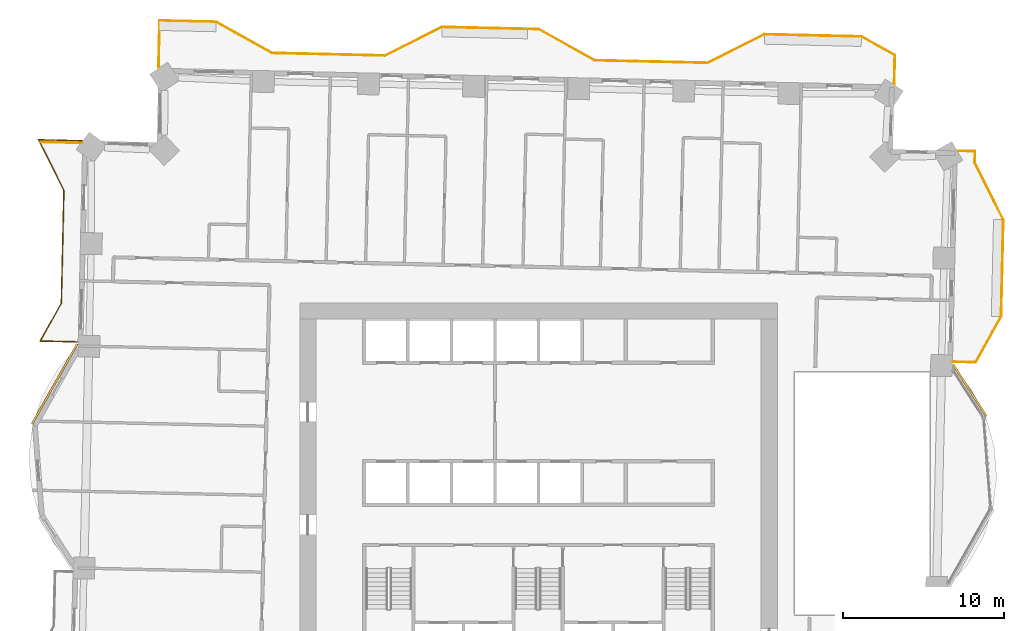
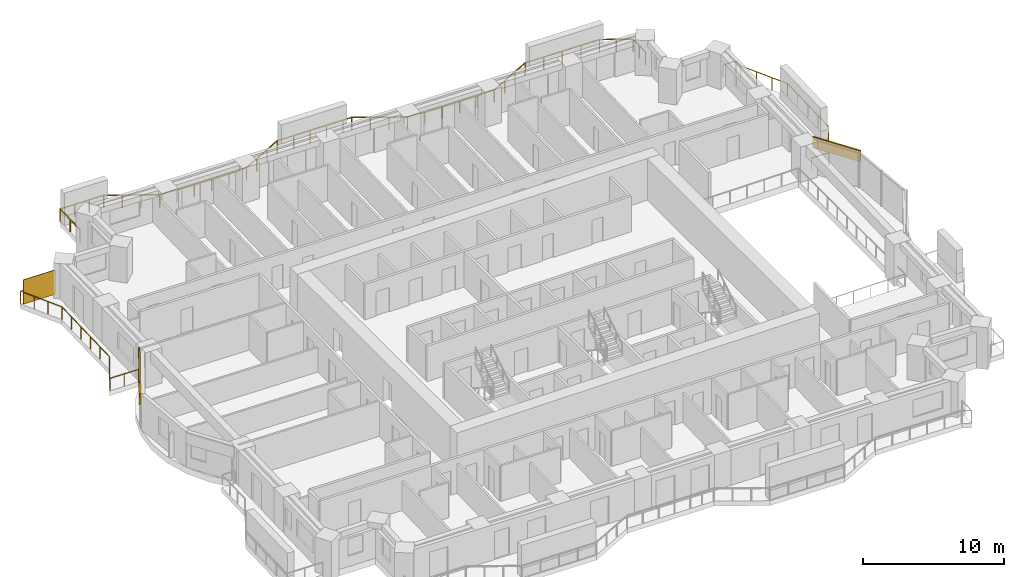
# One storey, part 16 of 16: 3 railings, 2 coverings, 1 shading device.
"""IFC4 building model written with IfcOpenShell, lengths in metres."""

import ifcopenshell
import ifcopenshell.guid

model = None  # the IFC model being written
_history = None  # IfcOwnerHistory: only IFC2X3 demands one
_inside = {}  # id of a spatial element -> (the spatial element, [elements in it])
_under = {}  # id of a project, library or spatial element -> (it, [spatial elements below it])
_declared = {}  # id of a project -> (the project, [libraries it declares])
_typed = {}  # id of a type object -> (the type object, [elements of that type])
_made_of = {}  # id of a material, layer set ... -> (it, [elements and type objects made of it])


def new_model(schema):
    """Start an empty IFC model of exactly this schema.

    Asked for "IFC4X3", IfcOpenShell would pick the latest addendum, in which some entities
    have other attributes; the version numbers below select the first issue.
    IFC2X3 requires an IfcOwnerHistory on every rooted entity: one is made here for all.
    """
    global model, _history
    if schema == "IFC4X3":
        model = ifcopenshell.file(schema_version=(4, 3, 0, 0))
    else:
        model = ifcopenshell.file(schema=schema)
    _inside.clear()
    _under.clear()
    _declared.clear()
    _typed.clear()
    _made_of.clear()
    _history = None
    if model.schema == "IFC2X3":
        org = make("IfcOrganization", Name="unknown")
        user = make(
            "IfcPersonAndOrganization",
            ThePerson=make("IfcPerson", FamilyName="unknown"),
            TheOrganization=org,
        )
        app = make(
            "IfcApplication",
            ApplicationDeveloper=org,
            Version="unknown",
            ApplicationFullName="unknown",
            ApplicationIdentifier="unknown",
        )
        _history = make(
            "IfcOwnerHistory",
            OwningUser=user,
            OwningApplication=app,
            ChangeAction="ADDED",
            CreationDate=0,
        )
    return model


def make(cls, **values):
    """One entity of the class cls with the attributes given. An attribute that is None is left unset."""
    return model.create_entity(
        cls, **{name: value for name, value in values.items() if value is not None}
    )


def rooted(cls, **values):
    """An entity with a GlobalId (a new one), such as an element, a storey or a relation."""
    return make(cls, GlobalId=ifcopenshell.guid.new(), OwnerHistory=_history, **values)


def si_unit(unit_type, name, prefix=None):
    """IfcSIUnit, for example si_unit("LENGTHUNIT", "METRE", prefix="MILLI")."""
    return make("IfcSIUnit", UnitType=unit_type, Prefix=prefix, Name=name)


def assignment(units):
    """IfcUnitAssignment: the units of a project."""
    return None if units is None else make("IfcUnitAssignment", Units=units)


def point(xyz):
    """IfcCartesianPoint."""
    return None if xyz is None else make("IfcCartesianPoint", Coordinates=xyz)


def direction(xyz):
    """IfcDirection."""
    return None if xyz is None else make("IfcDirection", DirectionRatios=xyz)


def frame(location, z_axis=None, x_axis=None):
    """IfcAxis2Placement3D, a coordinate frame: its origin and axes. An axis left out is left unset."""
    return make(
        "IfcAxis2Placement3D",
        Location=point(location),
        Axis=direction(z_axis),
        RefDirection=direction(x_axis),
    )


def frame_2d(location, x_axis=None):
    """IfcAxis2Placement2D, a coordinate frame in the plane: its origin and x axis."""
    return make(
        "IfcAxis2Placement2D", Location=point(location), RefDirection=direction(x_axis)
    )


def origin():
    """The frame at (0, 0, 0) with its axes left unset."""
    return frame((0.0, 0.0, 0.0))


def origin_2d():
    """The frame at (0, 0) in the plane with its x axis left unset."""
    return frame_2d((0.0, 0.0))


def place(relative_to, where):
    """IfcLocalPlacement: puts the frame where relative to a parent placement (None: the world)."""
    return make(
        "IfcLocalPlacement", PlacementRelTo=relative_to, RelativePlacement=where
    )


def context(
    kind, dimensions, precision=None, world=None, true_north=None, identifier=None
):
    """IfcGeometricRepresentationContext, for example the 3D "Model" context."""
    return make(
        "IfcGeometricRepresentationContext",
        ContextIdentifier=identifier,
        ContextType=kind,
        CoordinateSpaceDimension=dimensions,
        Precision=precision,
        WorldCoordinateSystem=world,
        TrueNorth=true_north,
    )


def subcontext(parent, identifier, kind, view, scale=None):
    """IfcGeometricRepresentationSubContext, for example "Body" below "Model"."""
    return make(
        "IfcGeometricRepresentationSubContext",
        ContextIdentifier=identifier,
        ContextType=kind,
        ParentContext=parent,
        TargetScale=scale,
        TargetView=view,
    )


def project(units=None, contexts=None):
    """IfcProject with its units and contexts."""
    return rooted(
        "IfcProject",
        Name="project",
        RepresentationContexts=contexts,
        UnitsInContext=assignment(units),
    )


def spatial(cls, under=None, at=None, **own):
    """A site, building, storey or space (cls), placed at a placement, below another one or the project."""
    s = rooted(cls, ObjectPlacement=at, **own)
    if under is not None:
        _under.setdefault(under.id(), (under, []))[1].append(s)
    return s


def profile(cls, at=None, kind="AREA", **sizes):
    """A parametric profile (cls). Its sizes go by their IFC names, for example OverallWidth=200.0."""
    return make(cls, ProfileType=kind, Position=at, **sizes)


def rectangle(**sizes):
    """IfcRectangleProfileDef."""
    return profile("IfcRectangleProfileDef", **sizes)


def extrude(swept, where, along, depth):
    """IfcExtrudedAreaSolid: the profile swept, set in the frame where, extruded along a direction by depth."""
    return make(
        "IfcExtrudedAreaSolid",
        SweptArea=swept,
        Position=where,
        ExtrudedDirection=direction(along),
        Depth=depth,
    )


def shape(context_of_items, identifier, shape_type, items):
    """IfcShapeRepresentation: the items that make up one representation, for example the "Body"."""
    return make(
        "IfcShapeRepresentation",
        ContextOfItems=context_of_items,
        RepresentationIdentifier=identifier,
        RepresentationType=shape_type,
        Items=items,
    )


def material(Name=None, Category=None):
    """IfcMaterial."""
    return make("IfcMaterial", Name=Name, Category=Category)


def layer(
    of_material, thickness, ventilated=None, Name=None, Category=None, Priority=None
):
    """IfcMaterialLayer: one layer of a wall or slab, of a material (None: an air gap)."""
    return make(
        "IfcMaterialLayer",
        Material=of_material,
        LayerThickness=thickness,
        IsVentilated=ventilated,
        Name=Name,
        Category=Category,
        Priority=Priority,
    )


def layer_set(layers, Name=None):
    """IfcMaterialLayerSet."""
    return make("IfcMaterialLayerSet", MaterialLayers=layers, LayerSetName=Name)


def made_of(thing, what):
    """Note that an element or type object is made of a material, layer set ...; save() writes the relation."""
    if what is not None:
        _made_of.setdefault(what.id(), (what, []))[1].append(thing)
    return thing


def type_object(cls, material=None, **own):
    """A type object (cls), such as IfcWallType, which elements share."""
    return made_of(rooted(cls, **own), material)


def element(
    cls,
    number,
    at=None,
    inside=None,
    cuts=None,
    type_object=None,
    material=None,
    context=None,
    identifier="Body",
    shape_type=None,
    held_by="IfcProductDefinitionShape",
    body=None,
    shapes=None,
    **own,
):
    """One element of the class cls, such as IfcWall. Its Tag is "e" and its number.

    at: its placement. inside: the storey or other place that contains it. cuts: it is an
    opening in that element (IfcRelVoidsElement). A single representation is given by context,
    identifier, shape_type and body (its items); several are given by shapes. held_by: the class
    of the entity that holds the representations. save() writes the other relations.
    """
    e = rooted(cls, Tag="e%d" % number, ObjectPlacement=at, **own)
    if body is not None:
        shapes = [shape(context, identifier, shape_type, body)]
    if shapes is not None:
        e.Representation = make(held_by, Representations=shapes)
    if inside is not None:
        _inside.setdefault(inside.id(), (inside, []))[1].append(e)
    if cuts is not None:
        rooted(
            "IfcRelVoidsElement", RelatingBuildingElement=cuts, RelatedOpeningElement=e
        )
    if type_object is not None:
        _typed.setdefault(type_object.id(), (type_object, []))[1].append(e)
    return made_of(e, material)


def aggregate(whole, parts):
    """IfcRelAggregates: a whole, such as a stair, and the parts it consists of."""
    return rooted("IfcRelAggregates", RelatingObject=whole, RelatedObjects=parts)


def save(model, path):
    """Write the relations noted so far, then the file.

    IfcRelAggregates (storeys below a building ...), IfcRelContainedInSpatialStructure (elements
    in a storey), IfcRelDefinesByType, IfcRelAssociatesMaterial and IfcRelDeclares: one each for
    every whole, place, type object, material and project.
    """
    for whole, parts in _under.values():
        aggregate(whole, parts)
    for where, things in _inside.values():
        rooted(
            "IfcRelContainedInSpatialStructure",
            RelatedElements=things,
            RelatingStructure=where,
        )
    for kind, things in _typed.values():
        rooted("IfcRelDefinesByType", RelatedObjects=things, RelatingType=kind)
    for what, things in _made_of.values():
        rooted("IfcRelAssociatesMaterial", RelatedObjects=things, RelatingMaterial=what)
    for by, libraries in _declared.values():
        rooted("IfcRelDeclares", RelatingContext=by, RelatedDefinitions=libraries)
    model.write(path)


model = new_model("IFC4")

# Units and contexts
model_context = context("Model", 3, precision=1e-05, world=origin(), true_north=direction((0.0, 1.0)))
body_context = subcontext(model_context, "Body", "Model", "MODEL_VIEW")
ifc_project = project(units=[si_unit("LENGTHUNIT", "METRE"), si_unit("AREAUNIT", "SQUARE_METRE"), si_unit("VOLUMEUNIT", "CUBIC_METRE"), si_unit("PLANEANGLEUNIT", "RADIAN"), si_unit("MASSUNIT", "GRAM", prefix="KILO")], contexts=[model_context])

# Site, building, storey
site_placement = place(None, origin())
site = spatial("IfcSite", under=ifc_project, at=site_placement, CompositionType="ELEMENT")
building_placement = place(site_placement, origin())
building = spatial("IfcBuilding", under=site, at=building_placement, Name="Mangrove Gate Tower", CompositionType="ELEMENT")
storey_placement = place(building_placement, frame((0.0, 0.0, 112.699951171875)))
storey = spatial("IfcBuildingStorey", under=building, at=storey_placement, Name="L28", CompositionType="ELEMENT", Elevation=112.699951171875)

# Railings
ifc_material_1 = material(Name="Stainless steel grade 316 with laminated glass infill", Category="steel")
railing_type = type_object("IfcRailingType", Name="Balcony guard 1100", PredefinedType="GUARDRAIL", material=ifc_material_1)
railing_1_placement = place(storey_placement, frame((25.698974609375, 8.157958984375, 0.0)))
element("IfcRailing", 1, at=railing_1_placement, inside=storey, type_object=railing_type, Name="GUARD L28 E2", PredefinedType="GUARDRAIL", context=body_context, shape_type="SweptSolid", body=[
    extrude(rectangle(XDim=0.048095703125, YDim=0.048095703125, at=origin_2d()), frame((0.0, 0.0, 1.076171875), z_axis=(0.999735451499, -0.023000587311, 0.0), x_axis=(0.023000587311, 0.999735451499, 0.0)), (0.0, 0.0, 1.0), 1.390625),
    extrude(rectangle(XDim=0.048095703125, YDim=0.048095703125, at=origin_2d()), frame((1.39013671875, -0.031982421875, 1.076171875), z_axis=(0.487089238085, 0.873352205093, 0.0), x_axis=(-0.873352205093, 0.487089238085, 0.0)), (0.0, 0.0, 1.0), 3.251953125),
    extrude(rectangle(XDim=0.048095703125, YDim=0.048095703125, at=origin_2d()), frame((2.97412109375, 2.80810546875, 1.076171875), z_axis=(0.022665943652, 0.999743094499, 0.0), x_axis=(-0.999743094499, 0.022665943652, 0.0)), (0.0, 0.0, 1.0), 5.99951171875),
    extrude(rectangle(XDim=0.048095703125, YDim=0.048095703125, at=origin_2d()), frame((3.110107421875, 8.80615234375, 1.076171875), z_axis=(-0.447139584658, 0.894464192593, 0.0), x_axis=(-0.894464192593, -0.447139584658, 0.0)), (0.0, 0.0, 1.0), 3.95849609375),
    extrude(rectangle(XDim=0.048095703125, YDim=0.048095703125, at=origin_2d()), frame((1.340087890625, 12.346923828125, 1.076171875), z_axis=(0.022658058842, 0.99974327323, 0.0), x_axis=(-0.99974327323, 0.022658058842, 0.0)), (0.0, 0.0, 1.0), 0.700439453125),
    extrude(rectangle(XDim=0.048095703125, YDim=0.048095703125, at=origin_2d()), frame((1.35595703125, 13.047119140625, 1.076171875), z_axis=(-0.999745272039, 0.02256969285, 0.0), x_axis=(-0.02256969285, -0.999745272039, 0.0)), (0.0, 0.0, 1.0), 1.06005859375),
    extrude(rectangle(XDim=0.0419921875, YDim=0.0419921875, at=origin_2d()), origin(), (0.0, 0.0, 1.0), 1.052001953125),
    extrude(rectangle(XDim=0.0419921875, YDim=0.0419921875, at=origin_2d()), frame((1.39013671875, -0.031982421875, 0.0)), (0.0, 0.0, 1.0), 1.052001953125),
    extrude(rectangle(XDim=0.0419921875, YDim=0.0419921875, at=origin_2d()), frame((1.918212890625, 0.914794921875, 0.0)), (0.0, 0.0, 1.0), 1.052001953125),
    extrude(rectangle(XDim=0.0419921875, YDim=0.0419921875, at=origin_2d()), frame((2.446044921875, 1.861328125, 0.0)), (0.0, 0.0, 1.0), 1.052001953125),
    extrude(rectangle(XDim=0.0419921875, YDim=0.0419921875, at=origin_2d()), frame((2.97412109375, 2.80810546875, 0.0)), (0.0, 0.0, 1.0), 1.052001953125),
    extrude(rectangle(XDim=0.0419921875, YDim=0.0419921875, at=origin_2d()), frame((3.008056640625, 4.3076171875, 0.0)), (0.0, 0.0, 1.0), 1.052001953125),
    extrude(rectangle(XDim=0.0419921875, YDim=0.0419921875, at=origin_2d()), frame((3.0419921875, 5.80712890625, 0.0)), (0.0, 0.0, 1.0), 1.052001953125),
    extrude(rectangle(XDim=0.0419921875, YDim=0.0419921875, at=origin_2d()), frame((3.076171875, 7.306640625, 0.0)), (0.0, 0.0, 1.0), 1.052001953125),
    extrude(rectangle(XDim=0.0419921875, YDim=0.0419921875, at=origin_2d()), frame((3.110107421875, 8.80615234375, 0.0)), (0.0, 0.0, 1.0), 1.052001953125),
    extrude(rectangle(XDim=0.0419921875, YDim=0.0419921875, at=origin_2d()), frame((2.52001953125, 9.986328125, 0.0)), (0.0, 0.0, 1.0), 1.052001953125),
    extrude(rectangle(XDim=0.0419921875, YDim=0.0419921875, at=origin_2d()), frame((1.93017578125, 11.166748046875, 0.0)), (0.0, 0.0, 1.0), 1.052001953125),
    extrude(rectangle(XDim=0.0419921875, YDim=0.0419921875, at=origin_2d()), frame((1.340087890625, 12.346923828125, 0.0)), (0.0, 0.0, 1.0), 1.052001953125),
    extrude(rectangle(XDim=0.0419921875, YDim=0.0419921875, at=origin_2d()), frame((1.35595703125, 13.047119140625, 0.0)), (0.0, 0.0, 1.0), 1.052001953125),
    extrude(rectangle(XDim=0.0419921875, YDim=0.0419921875, at=origin_2d()), frame((0.296142578125, 13.071044921875, 0.0)), (0.0, 0.0, 1.0), 1.052001953125),
])
railing_2_placement = place(storey_placement, frame((22.048095703125, 25.360107421875, 0.0)))
element("IfcRailing", 2, at=railing_2_placement, inside=storey, type_object=railing_type, Name="GUARD L28 N1", PredefinedType="GUARDRAIL", context=body_context, shape_type="SweptSolid", body=[
    extrude(rectangle(XDim=0.048095703125, YDim=0.048095703125, at=origin_2d()), frame((0.0, 0.0, 1.076171875), z_axis=(0.022820142738, 0.999739586635, 0.0), x_axis=(-0.999739586635, 0.022820142738, 0.0)), (0.0, 0.0, 1.0), 1.79736328125),
    extrude(rectangle(XDim=0.048095703125, YDim=0.048095703125, at=origin_2d()), frame((0.041015625, 1.796875, 1.076171875), z_axis=(-0.873290042046, 0.487200679868, 0.0), x_axis=(-0.487200679868, -0.873290042046, 0.0)), (0.0, 0.0, 1.0), 2.380859375),
    extrude(rectangle(XDim=0.048095703125, YDim=0.048095703125, at=origin_2d()), frame((-2.0380859375, 2.956787109375, 1.076171875), z_axis=(-0.999743094499, 0.022665943652, 0.0), x_axis=(-0.022665943652, -0.999743094499, 0.0)), (0.0, 0.0, 1.0), 5.99951171875),
    extrude(rectangle(XDim=0.048095703125, YDim=0.048095703125, at=origin_2d()), frame((-8.0361328125, 3.0927734375, 1.076171875), z_axis=(-0.894501186021, -0.447065574839, 0.0), x_axis=(0.447065574839, -0.894501186021, 0.0)), (0.0, 0.0, 1.0), 3.958740234375),
    extrude(rectangle(XDim=0.048095703125, YDim=0.048095703125, at=origin_2d()), frame((-11.5771484375, 1.322998046875, 1.076171875), z_axis=(-0.999745352708, 0.022566119286, 0.0), x_axis=(-0.022566119286, -0.999745352708, 0.0)), (0.0, 0.0, 1.0), 6.999755859375),
    extrude(rectangle(XDim=0.048095703125, YDim=0.048095703125, at=origin_2d()), frame((-18.5751953125, 1.48095703125, 1.076171875), z_axis=(-0.873242256246, 0.487286324359, 0.0), x_axis=(-0.487286324359, -0.873242256246, 0.0)), (0.0, 0.0, 1.0), 3.95849609375),
    extrude(rectangle(XDim=0.048095703125, YDim=0.048095703125, at=origin_2d()), frame((-22.031982421875, 3.409912109375, 1.076171875), z_axis=(-0.99974327323, 0.022658058842, 0.0), x_axis=(-0.022658058842, -0.99974327323, 0.0)), (0.0, 0.0, 1.0), 0.700439453125),
    extrude(rectangle(XDim=0.048095703125, YDim=0.048095703125, at=origin_2d()), frame((-22.732177734375, 3.42578125, 1.076171875), z_axis=(-0.99974316553, 0.022662810424, 0.0), x_axis=(-0.022662810424, -0.99974316553, 0.0)), (0.0, 0.0, 1.0), 5.30029296875),
    extrude(rectangle(XDim=0.048095703125, YDim=0.048095703125, at=origin_2d()), frame((-28.031005859375, 3.5458984375, 1.076171875), z_axis=(-0.894476522376, -0.447114919141, 0.0), x_axis=(0.447114919141, -0.894476522376, 0.0)), (0.0, 0.0, 1.0), 3.958740234375),
    extrude(rectangle(XDim=0.048095703125, YDim=0.048095703125, at=origin_2d()), frame((-31.572021484375, 1.77587890625, 1.076171875), z_axis=(-0.999742195543, 0.022705559911, 0.0), x_axis=(-0.022705559911, -0.999742195543, 0.0)), (0.0, 0.0, 1.0), 6.999755859375),
    extrude(rectangle(XDim=0.048095703125, YDim=0.048095703125, at=origin_2d()), frame((-38.570068359375, 1.934814453125, 1.076171875), z_axis=(-0.873230657876, 0.487307108654, 0.0), x_axis=(-0.487307108654, -0.873230657876, 0.0)), (0.0, 0.0, 1.0), 3.958984375),
    extrude(rectangle(XDim=0.048095703125, YDim=0.048095703125, at=origin_2d()), frame((-42.027099609375, 3.864013671875, 1.076171875), z_axis=(-0.999740394655, 0.022784716271, 0.0), x_axis=(-0.022784716271, -0.999740394655, 0.0)), (0.0, 0.0, 1.0), 3.50390625),
    extrude(rectangle(XDim=0.048095703125, YDim=0.048095703125, at=origin_2d()), frame((-45.530029296875, 3.94384765625, 1.076171875), z_axis=(-0.02273093202, -0.999741618984, 0.0), x_axis=(0.999741618984, -0.02273093202, 0.0)), (0.0, 0.0, 1.0), 2.91064453125),
    extrude(rectangle(XDim=0.0419921875, YDim=0.0419921875, at=origin_2d()), origin(), (0.0, 0.0, 1.0), 1.052001953125),
    extrude(rectangle(XDim=0.0419921875, YDim=0.0419921875, at=origin_2d()), frame((0.0205078125, 0.8984375, 0.0)), (0.0, 0.0, 1.0), 1.052001953125),
    extrude(rectangle(XDim=0.0419921875, YDim=0.0419921875, at=origin_2d()), frame((0.041015625, 1.796875, 0.0)), (0.0, 0.0, 1.0), 1.052001953125),
    extrude(rectangle(XDim=0.0419921875, YDim=0.0419921875, at=origin_2d()), frame((-0.99853515625, 2.376953125, 0.0)), (0.0, 0.0, 1.0), 1.052001953125),
    extrude(rectangle(XDim=0.0419921875, YDim=0.0419921875, at=origin_2d()), frame((-2.0380859375, 2.956787109375, 0.0)), (0.0, 0.0, 1.0), 1.052001953125),
    extrude(rectangle(XDim=0.0419921875, YDim=0.0419921875, at=origin_2d()), frame((-3.53759765625, 2.99072265625, 0.0)), (0.0, 0.0, 1.0), 1.052001953125),
    extrude(rectangle(XDim=0.0419921875, YDim=0.0419921875, at=origin_2d()), frame((-5.037109375, 3.02490234375, 0.0)), (0.0, 0.0, 1.0), 1.052001953125),
    extrude(rectangle(XDim=0.0419921875, YDim=0.0419921875, at=origin_2d()), frame((-6.53662109375, 3.058837890625, 0.0)), (0.0, 0.0, 1.0), 1.052001953125),
    extrude(rectangle(XDim=0.0419921875, YDim=0.0419921875, at=origin_2d()), frame((-8.0361328125, 3.0927734375, 0.0)), (0.0, 0.0, 1.0), 1.052001953125),
    extrude(rectangle(XDim=0.0419921875, YDim=0.0419921875, at=origin_2d()), frame((-9.216552734375, 2.5029296875, 0.0)), (0.0, 0.0, 1.0), 1.052001953125),
    extrude(rectangle(XDim=0.0419921875, YDim=0.0419921875, at=origin_2d()), frame((-10.396728515625, 1.912841796875, 0.0)), (0.0, 0.0, 1.0), 1.052001953125),
    extrude(rectangle(XDim=0.0419921875, YDim=0.0419921875, at=origin_2d()), frame((-11.5771484375, 1.322998046875, 0.0)), (0.0, 0.0, 1.0), 1.052001953125),
    extrude(rectangle(XDim=0.0419921875, YDim=0.0419921875, at=origin_2d()), frame((-12.976806640625, 1.3544921875, 0.0)), (0.0, 0.0, 1.0), 1.052001953125),
    extrude(rectangle(XDim=0.0419921875, YDim=0.0419921875, at=origin_2d()), frame((-14.37646484375, 1.38623046875, 0.0)), (0.0, 0.0, 1.0), 1.052001953125),
    extrude(rectangle(XDim=0.0419921875, YDim=0.0419921875, at=origin_2d()), frame((-15.77587890625, 1.417724609375, 0.0)), (0.0, 0.0, 1.0), 1.052001953125),
    extrude(rectangle(XDim=0.0419921875, YDim=0.0419921875, at=origin_2d()), frame((-17.175537109375, 1.449462890625, 0.0)), (0.0, 0.0, 1.0), 1.052001953125),
    extrude(rectangle(XDim=0.0419921875, YDim=0.0419921875, at=origin_2d()), frame((-18.5751953125, 1.48095703125, 0.0)), (0.0, 0.0, 1.0), 1.052001953125),
    extrude(rectangle(XDim=0.0419921875, YDim=0.0419921875, at=origin_2d()), frame((-19.7275390625, 2.1240234375, 0.0)), (0.0, 0.0, 1.0), 1.052001953125),
    extrude(rectangle(XDim=0.0419921875, YDim=0.0419921875, at=origin_2d()), frame((-20.879638671875, 2.766845703125, 0.0)), (0.0, 0.0, 1.0), 1.052001953125),
    extrude(rectangle(XDim=0.0419921875, YDim=0.0419921875, at=origin_2d()), frame((-22.031982421875, 3.409912109375, 0.0)), (0.0, 0.0, 1.0), 1.052001953125),
    extrude(rectangle(XDim=0.0419921875, YDim=0.0419921875, at=origin_2d()), frame((-22.732177734375, 3.42578125, 0.0)), (0.0, 0.0, 1.0), 1.052001953125),
    extrude(rectangle(XDim=0.0419921875, YDim=0.0419921875, at=origin_2d()), frame((-24.056884765625, 3.455810546875, 0.0)), (0.0, 0.0, 1.0), 1.052001953125),
    extrude(rectangle(XDim=0.0419921875, YDim=0.0419921875, at=origin_2d()), frame((-25.381591796875, 3.48583984375, 0.0)), (0.0, 0.0, 1.0), 1.052001953125),
    extrude(rectangle(XDim=0.0419921875, YDim=0.0419921875, at=origin_2d()), frame((-26.706298828125, 3.515869140625, 0.0)), (0.0, 0.0, 1.0), 1.052001953125),
    extrude(rectangle(XDim=0.0419921875, YDim=0.0419921875, at=origin_2d()), frame((-28.031005859375, 3.5458984375, 0.0)), (0.0, 0.0, 1.0), 1.052001953125),
    extrude(rectangle(XDim=0.0419921875, YDim=0.0419921875, at=origin_2d()), frame((-29.21142578125, 2.955810546875, 0.0)), (0.0, 0.0, 1.0), 1.052001953125),
    extrude(rectangle(XDim=0.0419921875, YDim=0.0419921875, at=origin_2d()), frame((-30.3916015625, 2.365966796875, 0.0)), (0.0, 0.0, 1.0), 1.052001953125),
    extrude(rectangle(XDim=0.0419921875, YDim=0.0419921875, at=origin_2d()), frame((-31.572021484375, 1.77587890625, 0.0)), (0.0, 0.0, 1.0), 1.052001953125),
    extrude(rectangle(XDim=0.0419921875, YDim=0.0419921875, at=origin_2d()), frame((-32.9716796875, 1.8076171875, 0.0)), (0.0, 0.0, 1.0), 1.052001953125),
    extrude(rectangle(XDim=0.0419921875, YDim=0.0419921875, at=origin_2d()), frame((-34.371337890625, 1.83935546875, 0.0)), (0.0, 0.0, 1.0), 1.052001953125),
    extrude(rectangle(XDim=0.0419921875, YDim=0.0419921875, at=origin_2d()), frame((-35.770751953125, 1.871337890625, 0.0)), (0.0, 0.0, 1.0), 1.052001953125),
    extrude(rectangle(XDim=0.0419921875, YDim=0.0419921875, at=origin_2d()), frame((-37.17041015625, 1.903076171875, 0.0)), (0.0, 0.0, 1.0), 1.052001953125),
    extrude(rectangle(XDim=0.0419921875, YDim=0.0419921875, at=origin_2d()), frame((-38.570068359375, 1.934814453125, 0.0)), (0.0, 0.0, 1.0), 1.052001953125),
    extrude(rectangle(XDim=0.0419921875, YDim=0.0419921875, at=origin_2d()), frame((-39.722412109375, 2.577880859375, 0.0)), (0.0, 0.0, 1.0), 1.052001953125),
    extrude(rectangle(XDim=0.0419921875, YDim=0.0419921875, at=origin_2d()), frame((-40.874755859375, 3.220947265625, 0.0)), (0.0, 0.0, 1.0), 1.052001953125),
    extrude(rectangle(XDim=0.0419921875, YDim=0.0419921875, at=origin_2d()), frame((-42.027099609375, 3.864013671875, 0.0)), (0.0, 0.0, 1.0), 1.052001953125),
    extrude(rectangle(XDim=0.0419921875, YDim=0.0419921875, at=origin_2d()), frame((-43.19482421875, 3.890625, 0.0)), (0.0, 0.0, 1.0), 1.052001953125),
    extrude(rectangle(XDim=0.0419921875, YDim=0.0419921875, at=origin_2d()), frame((-44.3623046875, 3.917236328125, 0.0)), (0.0, 0.0, 1.0), 1.052001953125),
    extrude(rectangle(XDim=0.0419921875, YDim=0.0419921875, at=origin_2d()), frame((-45.530029296875, 3.94384765625, 0.0)), (0.0, 0.0, 1.0), 1.052001953125),
    extrude(rectangle(XDim=0.0419921875, YDim=0.0419921875, at=origin_2d()), frame((-45.56298828125, 2.48876953125, 0.0)), (0.0, 0.0, 1.0), 1.052001953125),
    extrude(rectangle(XDim=0.0419921875, YDim=0.0419921875, at=origin_2d()), frame((-45.59619140625, 1.033935546875, 0.0)), (0.0, 0.0, 1.0), 1.052001953125),
])
railing_3_placement = place(storey_placement, frame((-28.2919921875, 21.861083984375, 0.0)))
element("IfcRailing", 3, at=railing_3_placement, inside=storey, type_object=railing_type, Name="GUARD L28 W1", PredefinedType="GUARDRAIL", context=body_context, shape_type="SweptSolid", body=[
    extrude(rectangle(XDim=0.048095703125, YDim=0.048095703125, at=origin_2d()), frame((0.0, 0.0, 1.076171875), z_axis=(-0.999744211975, 0.022616600579, 0.0), x_axis=(-0.022616600579, -0.999744211975, 0.0)), (0.0, 0.0, 1.0), 2.69873046875),
    extrude(rectangle(XDim=0.048095703125, YDim=0.048095703125, at=origin_2d()), frame((-2.697998046875, 0.06103515625, 1.076171875), z_axis=(0.447157891376, -0.894455040894, 0.0), x_axis=(0.894455040894, 0.447157891376, 0.0)), (0.0, 0.0, 1.0), 3.50634765625),
    extrude(rectangle(XDim=0.048095703125, YDim=0.048095703125, at=origin_2d()), frame((-1.130126953125, -3.0751953125, 1.076171875), z_axis=(-0.022703185001, -0.999742249478, 0.0), x_axis=(0.999742249478, -0.022703185001, 0.0)), (0.0, 0.0, 1.0), 7.00048828125),
    extrude(rectangle(XDim=0.048095703125, YDim=0.048095703125, at=origin_2d()), frame((-1.2890625, -10.073974609375, 1.076171875), z_axis=(-0.487332309153, -0.87321659424, 0.0), x_axis=(0.87321659424, -0.487332309153, 0.0)), (0.0, 0.0, 1.0), 2.685791015625),
    extrude(rectangle(XDim=0.048095703125, YDim=0.048095703125, at=origin_2d()), frame((-2.597900390625, -12.419189453125, 1.076171875), z_axis=(0.999738230516, -0.022879476484, 0.0), x_axis=(0.022879476484, 0.999738230516, 0.0)), (0.0, 0.0, 1.0), 2.3154296875),
    extrude(rectangle(XDim=0.0419921875, YDim=0.0419921875, at=origin_2d()), origin(), (0.0, 0.0, 1.0), 1.052001953125),
    extrude(rectangle(XDim=0.0419921875, YDim=0.0419921875, at=origin_2d()), frame((-1.34912109375, 0.030517578125, 0.0)), (0.0, 0.0, 1.0), 1.052001953125),
    extrude(rectangle(XDim=0.0419921875, YDim=0.0419921875, at=origin_2d()), frame((-2.697998046875, 0.06103515625, 0.0)), (0.0, 0.0, 1.0), 1.052001953125),
    extrude(rectangle(XDim=0.0419921875, YDim=0.0419921875, at=origin_2d()), frame((-2.17529296875, -0.984375, 0.0)), (0.0, 0.0, 1.0), 1.052001953125),
    extrude(rectangle(XDim=0.0419921875, YDim=0.0419921875, at=origin_2d()), frame((-1.65283203125, -2.02978515625, 0.0)), (0.0, 0.0, 1.0), 1.052001953125),
    extrude(rectangle(XDim=0.0419921875, YDim=0.0419921875, at=origin_2d()), frame((-1.130126953125, -3.0751953125, 0.0)), (0.0, 0.0, 1.0), 1.052001953125),
    extrude(rectangle(XDim=0.0419921875, YDim=0.0419921875, at=origin_2d()), frame((-1.161865234375, -4.474853515625, 0.0)), (0.0, 0.0, 1.0), 1.052001953125),
    extrude(rectangle(XDim=0.0419921875, YDim=0.0419921875, at=origin_2d()), frame((-1.193603515625, -5.874755859375, 0.0)), (0.0, 0.0, 1.0), 1.052001953125),
    extrude(rectangle(XDim=0.0419921875, YDim=0.0419921875, at=origin_2d()), frame((-1.2255859375, -7.2744140625, 0.0)), (0.0, 0.0, 1.0), 1.052001953125),
    extrude(rectangle(XDim=0.0419921875, YDim=0.0419921875, at=origin_2d()), frame((-1.25732421875, -8.67431640625, 0.0)), (0.0, 0.0, 1.0), 1.052001953125),
    extrude(rectangle(XDim=0.0419921875, YDim=0.0419921875, at=origin_2d()), frame((-1.2890625, -10.073974609375, 0.0)), (0.0, 0.0, 1.0), 1.052001953125),
    extrude(rectangle(XDim=0.0419921875, YDim=0.0419921875, at=origin_2d()), frame((-1.943359375, -11.24658203125, 0.0)), (0.0, 0.0, 1.0), 1.052001953125),
    extrude(rectangle(XDim=0.0419921875, YDim=0.0419921875, at=origin_2d()), frame((-2.597900390625, -12.419189453125, 0.0)), (0.0, 0.0, 1.0), 1.052001953125),
    extrude(rectangle(XDim=0.0419921875, YDim=0.0419921875, at=origin_2d()), frame((-1.4404296875, -12.44580078125, 0.0)), (0.0, 0.0, 1.0), 1.052001953125),
    extrude(rectangle(XDim=0.0419921875, YDim=0.0419921875, at=origin_2d()), frame((-0.282958984375, -12.47216796875, 0.0)), (0.0, 0.0, 1.0), 1.052001953125),
])

# Shading device
ifc_material_2 = material(Name="Timber slat screen in teak", Category="wood")
shading_device_type = type_object("IfcShadingDeviceType", Name="Balcony screen 2100", PredefinedType="USERDEFINED", material=ifc_material_2)
shading_device_placement = place(storey_placement, frame((-29.56396484375, 21.75, 0.0), z_axis=(0.0, 0.0, 1.0), x_axis=(-0.999743005139, 0.022669884769, 0.0)))
element("IfcShadingDevice", 4, at=shading_device_placement, inside=storey, type_object=shading_device_type, Name="SCREEN L28 W0", ObjectType="SCREEN", PredefinedType="USERDEFINED", context=body_context, shape_type="SweptSolid", body=[
    extrude(rectangle(XDim=2.5791015625, YDim=0.050048828125, at=origin_2d()), origin(), (0.0, 0.0, 1.0), 2.10009765625),
])

# Coverings
ifc_material_3 = material(Name="Limestone", Category="masonry")
ifc_layer_1 = layer(ifc_material_3, 0.0400390625, Name="Limestone cladding")
ifc_material_4 = material(Name="Stainless steel anchors and cavity", Category="steel")
ifc_layer_2 = layer(ifc_material_4, 0.080078125, Name="Fixing cavity")
ifc_layer_set = layer_set([ifc_layer_1, ifc_layer_2], Name="Joint fascia cladding 120")
covering_type = type_object("IfcCoveringType", Name="Joint fascia cladding 120", PredefinedType="CLADDING", material=ifc_layer_set)
covering_1_placement = place(storey_placement, frame((27.762939453125, 4.77392578125, 2.10009765625), z_axis=(0.0, 0.0, 1.0), x_axis=(-0.540457066708, 0.841371593914, 0.0)))
element("IfcCovering", 5, at=covering_1_placement, inside=storey, type_object=covering_type, Name="STONE FASCIA L28 E1.L2", PredefinedType="CLADDING", context=body_context, shape_type="SweptSolid", body=[
    extrude(rectangle(XDim=3.81884765625, YDim=0.1201171875, at=frame_2d((1.909423828125, 0.0))), origin(), (0.0, 0.0, 1.0), 0.949951171875),
])
covering_2_placement = place(storey_placement, frame((-28.588134765625, 9.264892578125, 2.10009765625), z_axis=(0.0, 0.0, 1.0), x_axis=(-0.492461862622, -0.870334024305, 0.0)))
element("IfcCovering", 6, at=covering_2_placement, inside=storey, type_object=covering_type, Name="STONE FASCIA L28 W9.L1", PredefinedType="CLADDING", context=body_context, shape_type="SweptSolid", body=[
    extrude(rectangle(XDim=5.70556640625, YDim=0.1201171875, at=frame_2d((2.852783203125, 0.0))), origin(), (0.0, 0.0, 1.0), 0.949951171875),
])

save(model, "model.ifc")
